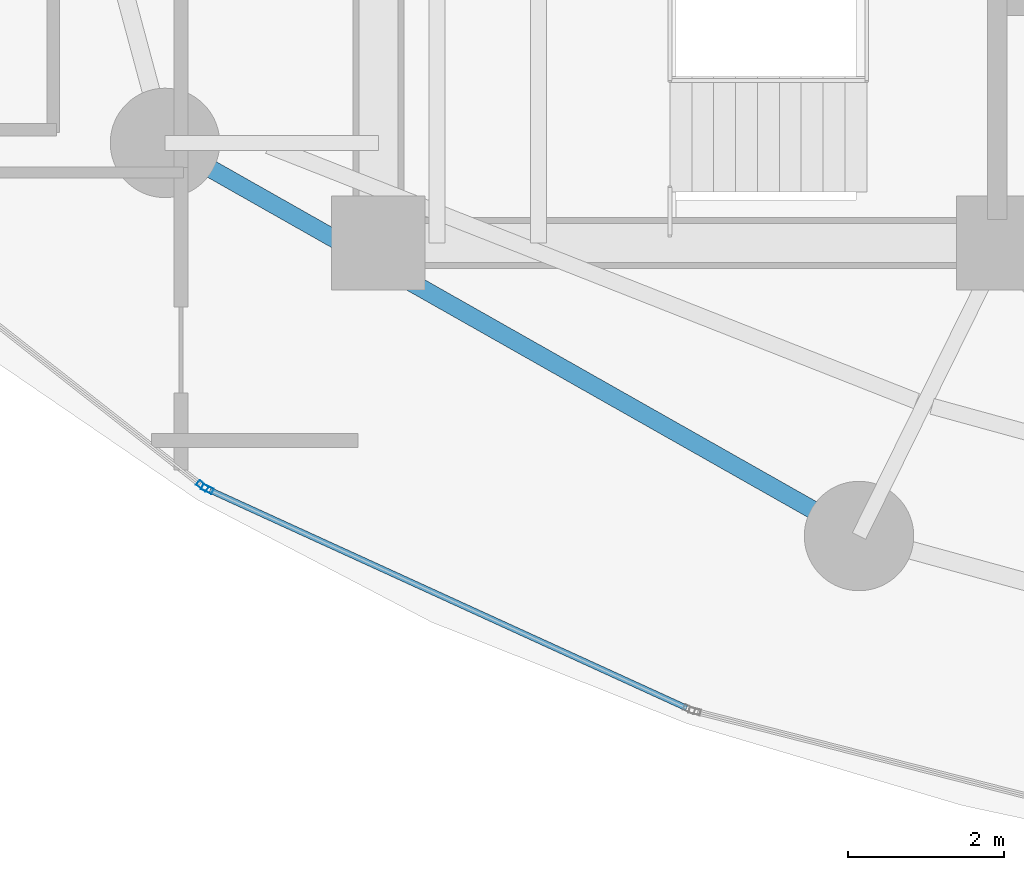
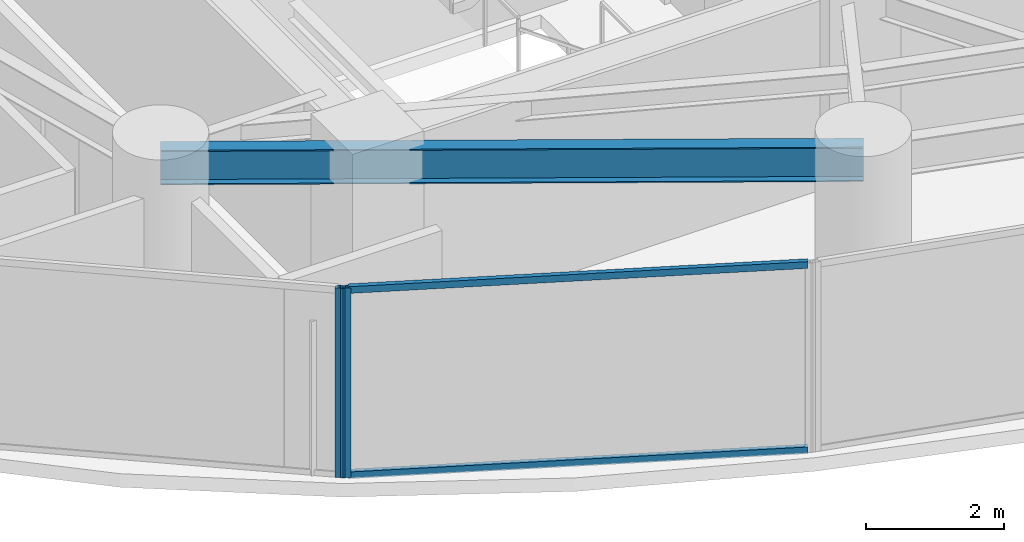
# One storey, part 2 of 33: 4 members, 1 beam, 2 elements without a shape of their own.
"""IFC4 building model written with IfcOpenShell, lengths in metres."""

from ifc_helpers import new_model, si_unit, direction, frame, origin, origin_2d, place, context, subcontext, project, spatial, hollow_rectangle, i_section, extrude, material, layer, layer_set, material_profile, profile_set, type_object, element, aggregate, save


model = new_model("IFC4")

# Units and contexts
model_context = context("Model", 3, precision=1e-05, world=origin(), true_north=direction((0.0, 1.0)))
body_context = subcontext(model_context, "Body", "Model", "MODEL_VIEW")
ifc_project = project(units=[si_unit("LENGTHUNIT", "METRE"), si_unit("AREAUNIT", "SQUARE_METRE"), si_unit("VOLUMEUNIT", "CUBIC_METRE"), si_unit("PLANEANGLEUNIT", "RADIAN"), si_unit("MASSUNIT", "GRAM", prefix="KILO")], contexts=[model_context])

# Site, building, storey
site_placement = place(None, origin())
site = spatial("IfcSite", under=ifc_project, at=site_placement, CompositionType="ELEMENT")
building_placement = place(site_placement, origin())
building = spatial("IfcBuilding", under=site, at=building_placement, Name="Kazevale Care Tower and Concert Hall", CompositionType="ELEMENT")
storey_placement = place(building_placement, frame((0.0, 0.0, 45.60009765625)))
storey = spatial("IfcBuildingStorey", under=building, at=storey_placement, Name="L11", CompositionType="ELEMENT", Elevation=45.60009765625)

# Curtain wall, member
ifc_material_1 = material(Name="Aluminium 6063-T6 and Low-E Glass", Category="aluminium")
ifc_layer = layer(ifc_material_1, 0.179931640625)
ifc_layer_set = layer_set([ifc_layer], Name="Aluminium 6063-T6 and Low-E Glass")
curtain_wall_type = type_object("IfcCurtainWallType", Name="Sheltered Concave Balcony Curtain Wall CW-5", PredefinedType="NOTDEFINED", material=ifc_layer_set)
curtain_wall_1_placement = place(storey_placement, origin())
curtain_wall_1 = element("IfcCurtainWall", 1, at=curtain_wall_1_placement, inside=storey, type_object=curtain_wall_type, Name="cw:L11:f09", PredefinedType="NOTDEFINED")
ifc_material_2 = material(Name="Aluminium 6063-T6", Category="aluminium")
ifc_material_profile_1 = material_profile(ifc_material_2, hollow_rectangle(XDim=0.074951171875, YDim=0.14990234375, WallThickness=0.00390625, at=origin_2d()), Name="ALU75x150x4")
ifc_profile_set_1 = profile_set([ifc_material_profile_1], Name="Aluminium 6063-T6")
member_type_1 = type_object("IfcMemberType", Name="CW-5 Mullion ALU75x150x4", PredefinedType="MULLION", material=ifc_profile_set_1)
member_1_placement = place(storey_placement, frame((19.81201171875, 20.451416015625, 0.0), z_axis=(0.0, 0.0, 1.0), x_axis=(-0.415659767773, -0.909520179795, 0.0)))
member_1 = element("IfcMember", 2, at=member_1_placement, type_object=member_type_1, Name="CW-5 mullion 2", PredefinedType="MULLION", context=body_context, shape_type="SweptSolid", body=[
    extrude(hollow_rectangle(XDim=0.074951171875, YDim=0.14990234375, WallThickness=0.00390625, at=origin_2d()), origin(), (0.0, 0.0, 1.0), 3.35986328125),
])

curtain_wall_2_placement = place(storey_placement, origin())
curtain_wall_2 = element("IfcCurtainWall", 3, at=curtain_wall_2_placement, inside=storey, type_object=curtain_wall_type, Name="cw:L11:f10", PredefinedType="NOTDEFINED")
member_2_placement = place(storey_placement, frame((19.74853515625, 20.490234375, 0.0), z_axis=(0.0, 0.0, 1.0), x_axis=(-0.617807548814, -0.78632934107, 0.0)))
member_2 = element("IfcMember", 4, at=member_2_placement, type_object=member_type_1, Name="CW-5 mullion 1", PredefinedType="MULLION", context=body_context, shape_type="SweptSolid", body=[
    extrude(hollow_rectangle(XDim=0.074951171875, YDim=0.14990234375, WallThickness=0.00390625, at=origin_2d()), origin(), (0.0, 0.0, 1.0), 3.35986328125),
])
aggregate(curtain_wall_2, [member_2])

# Member
ifc_material_profile_2 = material_profile(ifc_material_2, hollow_rectangle(XDim=0.074951171875, YDim=0.1201171875, WallThickness=0.00390625, at=origin_2d()), Name="ALU75x120x4")
ifc_profile_set_2 = profile_set([ifc_material_profile_2], Name="Aluminium 6063-T6")
member_type_2 = type_object("IfcMemberType", Name="CW-5 Transom ALU75x120x4", PredefinedType="USERDEFINED", material=ifc_profile_set_2)
member_3_placement = place(storey_placement, frame((25.94384765625, 17.649169921875, 0.037353515625), z_axis=(-0.909524040017, 0.415651320978, 0.0), x_axis=(-0.415651320978, -0.909524040017, 0.0)))
member_3 = element("IfcMember", 5, at=member_3_placement, type_object=member_type_2, Name="CW-5 transom 1.1", ObjectType="TRANSOM", PredefinedType="USERDEFINED", context=body_context, shape_type="SweptSolid", body=[
    extrude(hollow_rectangle(XDim=0.074951171875, YDim=0.1201171875, WallThickness=0.00390625, at=origin_2d()), origin(), (0.0, 0.0, 1.0), 6.704345703125),
])

member_4_placement = place(storey_placement, frame((25.94384765625, 17.649169921875, 3.322509765625), z_axis=(-0.909524040017, 0.415651320978, 0.0), x_axis=(-0.415651320978, -0.909524040017, 0.0)))
member_4 = element("IfcMember", 6, at=member_4_placement, type_object=member_type_2, Name="CW-5 transom 1.2", ObjectType="TRANSOM", PredefinedType="USERDEFINED", context=body_context, shape_type="SweptSolid", body=[
    extrude(hollow_rectangle(XDim=0.074951171875, YDim=0.1201171875, WallThickness=0.00390625, at=origin_2d()), origin(), (0.0, 0.0, 1.0), 6.704345703125),
])

aggregate(curtain_wall_1, [member_1, member_3, member_4])

# Beam
ifc_material_3 = material(Name="Steel ASTM A572 Gr 50", Category="steel")
ifc_material_profile_3 = material_profile(ifc_material_3, i_section(OverallWidth=0.22900390625, OverallDepth=0.612060546875, WebThickness=0.011962890625, FlangeThickness=0.01953125, at=origin_2d()), Name="W610x125")
ifc_profile_set_3 = profile_set([ifc_material_profile_3], Name="Steel ASTM A572 Gr 50")
beam_type = type_object("IfcBeamType", Name="Ring Spandrel Beam W610x125", PredefinedType="SPANDREL", material=ifc_profile_set_3)
beam_placement = place(storey_placement, frame((19.27001953125, 24.8798828125, 3.053955078125), z_axis=(0.870112469479, -0.492853213906, 0.0), x_axis=(0.492853213906, 0.870112469479, 0.0)))
element("IfcBeam", 7, at=beam_placement, inside=storey, type_object=beam_type, Name="beam:L11:ring:10", PredefinedType="SPANDREL", context=body_context, shape_type="SweptSolid", body=[
    extrude(i_section(OverallWidth=0.22900390625, OverallDepth=0.612060546875, WebThickness=0.011962890625, FlangeThickness=0.01953125, at=origin_2d()), origin(), (0.0, 0.0, 1.0), 10.205322265625),
])

save(model, "model.ifc")
